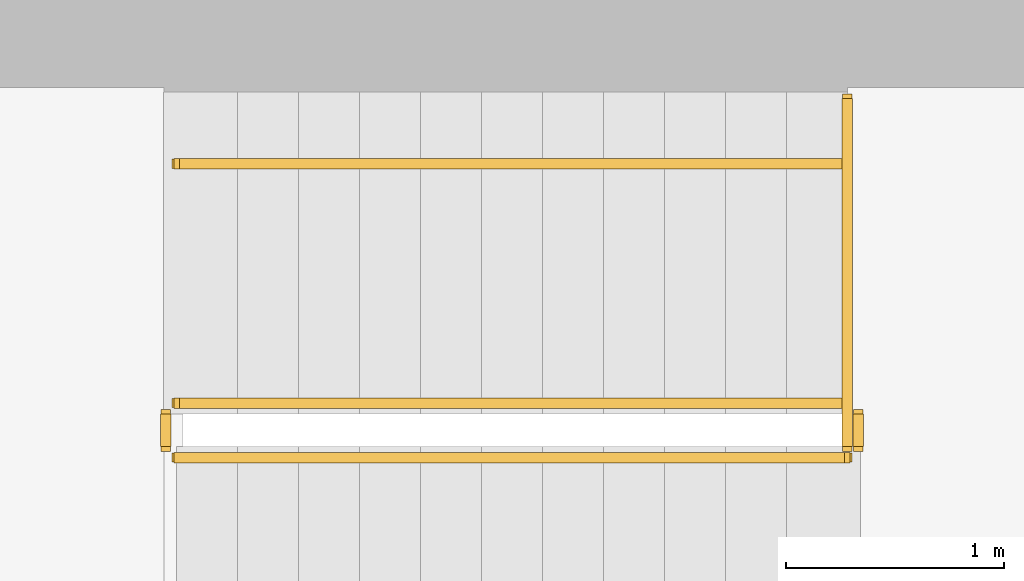
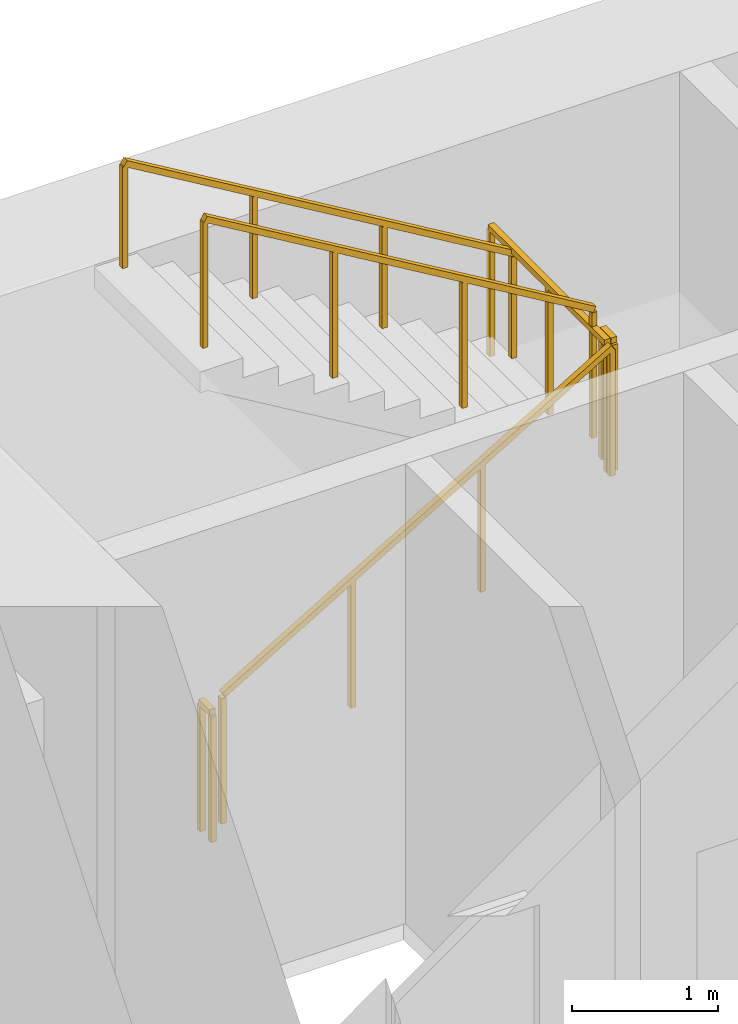
# One storey, part 15 of 16: 6 railings.
"""IFC4 building model written with IfcOpenShell, lengths in metres."""

from ifc_helpers import new_model, si_unit, direction, frame, origin, origin_2d, place, context, subcontext, project, spatial, rectangle, extrude, material, type_object, element, save


model = new_model("IFC4")

# Units and contexts
model_context = context("Model", 3, precision=1e-05, world=origin(), true_north=direction((0.0, 1.0)))
body_context = subcontext(model_context, "Body", "Model", "MODEL_VIEW")
ifc_project = project(units=[si_unit("LENGTHUNIT", "METRE"), si_unit("AREAUNIT", "SQUARE_METRE"), si_unit("VOLUMEUNIT", "CUBIC_METRE"), si_unit("PLANEANGLEUNIT", "RADIAN"), si_unit("MASSUNIT", "GRAM", prefix="KILO")], contexts=[model_context])

# Site, building, storey
site_placement = place(None, origin())
site = spatial("IfcSite", under=ifc_project, at=site_placement, CompositionType="ELEMENT")
building_placement = place(site_placement, origin())
building = spatial("IfcBuilding", under=site, at=building_placement, Name="Sennacour Bend Tower", CompositionType="ELEMENT")
storey_placement = place(building_placement, frame((0.0, 0.0, 227.0)))
storey = spatial("IfcBuildingStorey", under=building, at=storey_placement, Name="L52", CompositionType="ELEMENT", Elevation=227.0)

# Railings
ifc_material = material(Name="Stainless steel", Category="steel")
railing_type_1 = type_object("IfcRailingType", Name="RL-GUARD-1100", PredefinedType="GUARDRAIL", material=ifc_material)
railing_1_placement = place(storey_placement, frame((56.699951171875, 19.85009765625, 0.166748046875)))
element("IfcRailing", 1, at=railing_1_placement, inside=storey, type_object=railing_type_1, Name="L52 SA2 stair guard 1", PredefinedType="GUARDRAIL", context=body_context, shape_type="SweptSolid", body=[
    extrude(rectangle(XDim=0.048095703125, YDim=0.048095703125, at=origin_2d()), frame((0.0, 0.0, 1.076171875), z_axis=(0.859308565015, 0.0, 0.511457515432), x_axis=(0.0, 1.0, 0.0)), (0.0, 0.0, 1.0), 3.58447265625),
    extrude(rectangle(XDim=0.0419921875, YDim=0.0419921875, at=origin_2d()), origin(), (0.0, 0.0, 1.0), 1.052001953125),
    extrude(rectangle(XDim=0.0419921875, YDim=0.0419921875, at=origin_2d()), frame((1.026611328125, 0.0, 0.611083984375)), (0.0, 0.0, 1.0), 1.052001953125),
    extrude(rectangle(XDim=0.0419921875, YDim=0.0419921875, at=origin_2d()), frame((2.053466796875, 0.0, 1.22216796875)), (0.0, 0.0, 1.0), 1.052001953125),
    extrude(rectangle(XDim=0.0419921875, YDim=0.0419921875, at=origin_2d()), frame((3.080078125, 0.0, 1.833251953125)), (0.0, 0.0, 1.0), 1.052001953125),
])
railing_2_placement = place(storey_placement, frame((59.830078125, 19.89990234375, 2.0)))
element("IfcRailing", 2, at=railing_2_placement, inside=storey, type_object=railing_type_1, Name="L52 SA2 stair guard 2", PredefinedType="GUARDRAIL", context=body_context, shape_type="SweptSolid", body=[
    extrude(rectangle(XDim=0.048095703125, YDim=0.048095703125, at=origin_2d()), frame((0.0, 0.0, 1.076171875), z_axis=(0.0, 1.0, 0.0), x_axis=(-1.0, 0.0, 0.0)), (0.0, 0.0, 1.0), 0.150146484375),
    extrude(rectangle(XDim=0.0419921875, YDim=0.0419921875, at=origin_2d()), origin(), (0.0, 0.0, 1.0), 1.052001953125),
    extrude(rectangle(XDim=0.0419921875, YDim=0.0419921875, at=origin_2d()), frame((0.0, 0.150146484375, 0.0)), (0.0, 0.0, 1.0), 1.052001953125),
])
railing_3_placement = place(storey_placement, frame((59.780029296875, 20.10009765625, 2.166748046875)))
element("IfcRailing", 3, at=railing_3_placement, inside=storey, type_object=railing_type_1, Name="L52 SA2 stair guard 4", PredefinedType="GUARDRAIL", context=body_context, shape_type="SweptSolid", body=[
    extrude(rectangle(XDim=0.048095703125, YDim=0.048095703125, at=origin_2d()), frame((0.0, 0.0, 1.076171875), z_axis=(-0.859308565015, 0.0, 0.511457515432), x_axis=(0.0, -1.0, 0.0)), (0.0, 0.0, 1.0), 3.58447265625),
    extrude(rectangle(XDim=0.0419921875, YDim=0.0419921875, at=origin_2d()), origin(), (0.0, 0.0, 1.0), 1.052001953125),
    extrude(rectangle(XDim=0.0419921875, YDim=0.0419921875, at=origin_2d()), frame((-1.026611328125, 0.0, 0.611083984375)), (0.0, 0.0, 1.0), 1.052001953125),
    extrude(rectangle(XDim=0.0419921875, YDim=0.0419921875, at=origin_2d()), frame((-2.053466796875, 0.0, 1.22216796875)), (0.0, 0.0, 1.0), 1.052001953125),
    extrude(rectangle(XDim=0.0419921875, YDim=0.0419921875, at=origin_2d()), frame((-3.080078125, 0.0, 1.833251953125)), (0.0, 0.0, 1.0), 1.052001953125),
])
railing_4_placement = place(storey_placement, frame((56.64990234375, 19.89990234375, 0.0)))
element("IfcRailing", 4, at=railing_4_placement, inside=storey, type_object=railing_type_1, Name="L52 SA2 stair guard 5", PredefinedType="GUARDRAIL", context=body_context, shape_type="SweptSolid", body=[
    extrude(rectangle(XDim=0.048095703125, YDim=0.048095703125, at=origin_2d()), frame((0.0, 0.0, 1.076171875), z_axis=(0.0, 1.0, 0.0), x_axis=(-1.0, 0.0, 0.0)), (0.0, 0.0, 1.0), 0.150146484375),
    extrude(rectangle(XDim=0.0419921875, YDim=0.0419921875, at=origin_2d()), origin(), (0.0, 0.0, 1.0), 1.052001953125),
    extrude(rectangle(XDim=0.0419921875, YDim=0.0419921875, at=origin_2d()), frame((0.0, 0.150146484375, 0.0)), (0.0, 0.0, 1.0), 1.052001953125),
])
railing_5_placement = place(storey_placement, frame((59.780029296875, 19.89990234375, 2.0)))
element("IfcRailing", 5, at=railing_5_placement, inside=storey, type_object=railing_type_1, Name="L52 SA2 landing edge guard 69", PredefinedType="GUARDRAIL", context=body_context, shape_type="SweptSolid", body=[
    extrude(rectangle(XDim=0.048095703125, YDim=0.048095703125, at=origin_2d()), frame((0.0, 0.0, 1.076171875), z_axis=(0.0, 1.0, 0.0), x_axis=(-1.0, 0.0, 0.0)), (0.0, 0.0, 1.0), 1.60009765625),
    extrude(rectangle(XDim=0.0419921875, YDim=0.0419921875, at=origin_2d()), origin(), (0.0, 0.0, 1.0), 1.052001953125),
    extrude(rectangle(XDim=0.0419921875, YDim=0.0419921875, at=origin_2d()), frame((0.0, 0.800048828125, 0.0)), (0.0, 0.0, 1.0), 1.052001953125),
    extrude(rectangle(XDim=0.0419921875, YDim=0.0419921875, at=origin_2d()), frame((0.0, 1.60009765625, 0.0)), (0.0, 0.0, 1.0), 1.052001953125),
])
railing_type_2 = type_object("IfcRailingType", Name="RL-HANDRAIL-900", PredefinedType="HANDRAIL", material=ifc_material)
railing_6_placement = place(storey_placement, frame((59.780029296875, 21.199951171875, 2.166748046875)))
element("IfcRailing", 6, at=railing_6_placement, inside=storey, type_object=railing_type_2, Name="L52 SA2 stair handrail 2", PredefinedType="HANDRAIL", context=body_context, shape_type="SweptSolid", body=[
    extrude(rectangle(XDim=0.048095703125, YDim=0.048095703125, at=origin_2d()), frame((0.0, 0.0, 0.8759765625), z_axis=(-0.859308565015, 0.0, 0.511457515432), x_axis=(0.0, -1.0, 0.0)), (0.0, 0.0, 1.0), 3.58447265625),
    extrude(rectangle(XDim=0.0419921875, YDim=0.0419921875, at=origin_2d()), origin(), (0.0, 0.0, 1.0), 0.851806640625),
    extrude(rectangle(XDim=0.0419921875, YDim=0.0419921875, at=origin_2d()), frame((-1.026611328125, 0.0, 0.611083984375)), (0.0, 0.0, 1.0), 0.851806640625),
    extrude(rectangle(XDim=0.0419921875, YDim=0.0419921875, at=origin_2d()), frame((-2.053466796875, 0.0, 1.22216796875)), (0.0, 0.0, 1.0), 0.851806640625),
    extrude(rectangle(XDim=0.0419921875, YDim=0.0419921875, at=origin_2d()), frame((-3.080078125, 0.0, 1.833251953125)), (0.0, 0.0, 1.0), 0.851806640625),
])

save(model, "model.ifc")
